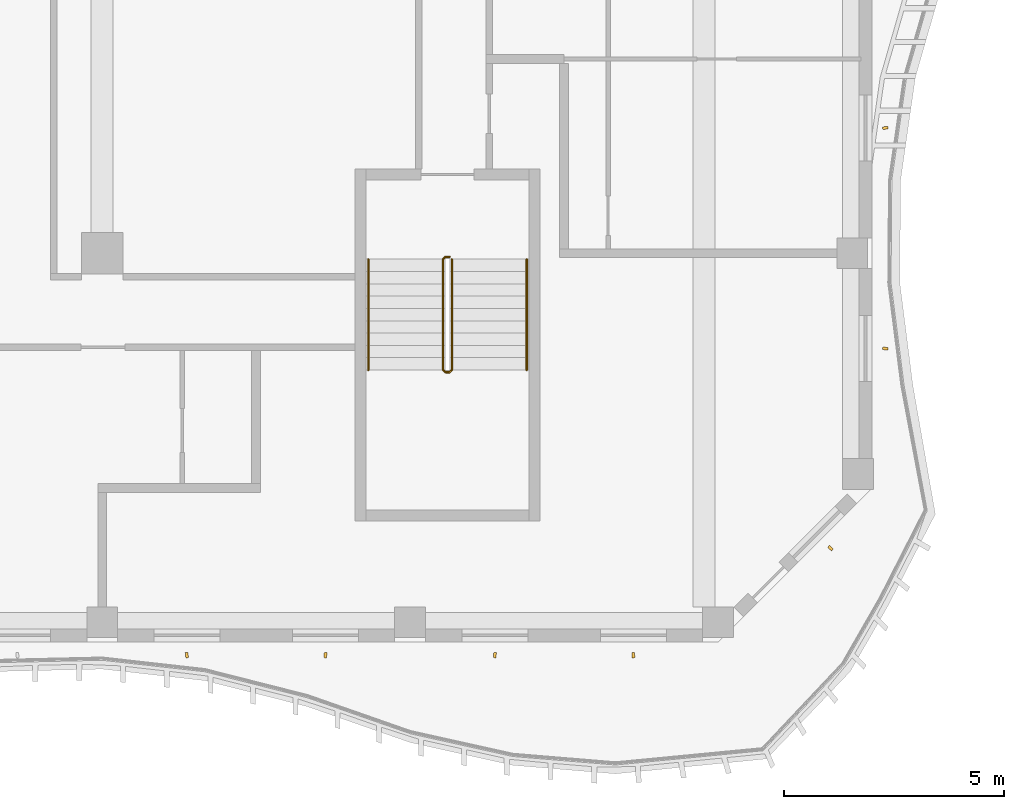
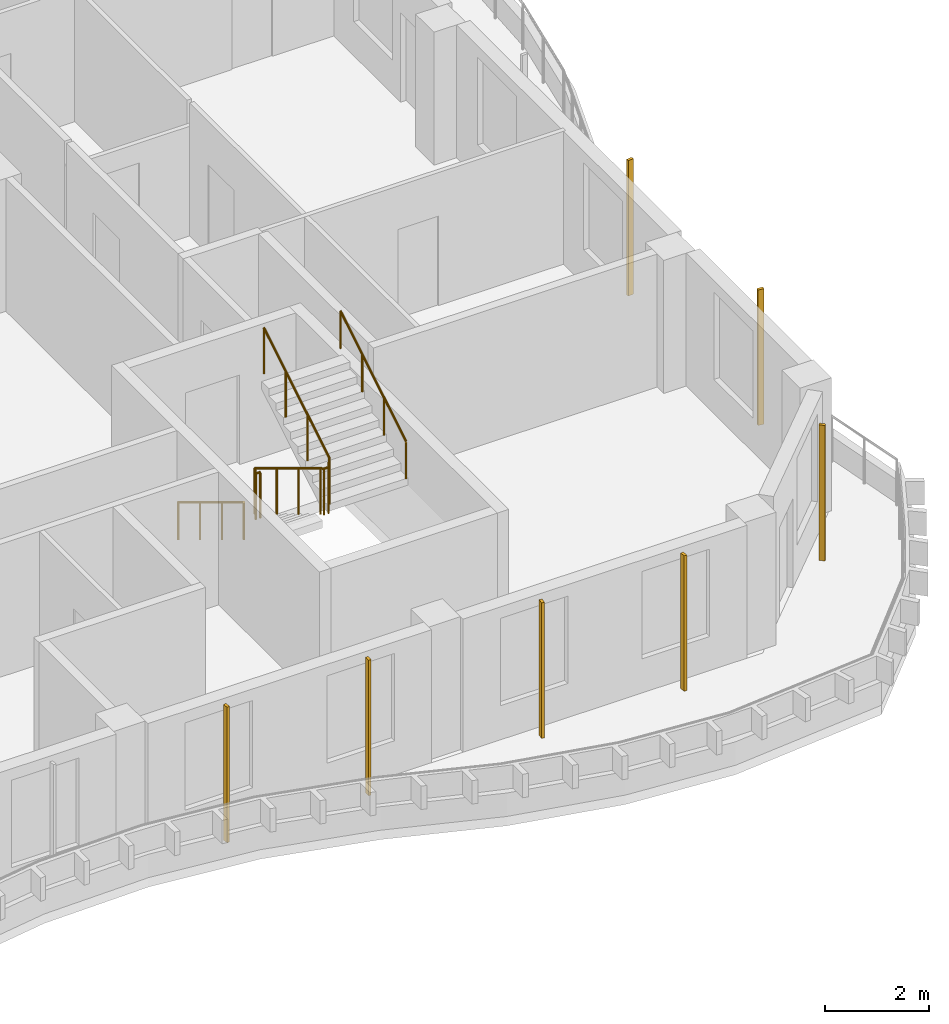
# One storey, part 18 of 20: 7 shading devices, 3 railings.
"""IFC4 building model written with IfcOpenShell, lengths in metres."""

from ifc_helpers import new_model, si_unit, direction, frame, origin, origin_2d, place, context, subcontext, project, spatial, rectangle, circle, extrude, source, transform, mapped, material, material_profile, profile_set, type_object, element, save


model = new_model("IFC4")

# Units and contexts
model_context = context("Model", 3, precision=1e-05, world=origin(), true_north=direction((0.0, 1.0)))
body_context = subcontext(model_context, "Body", "Model", "MODEL_VIEW")
ifc_project = project(units=[si_unit("LENGTHUNIT", "METRE"), si_unit("AREAUNIT", "SQUARE_METRE"), si_unit("VOLUMEUNIT", "CUBIC_METRE"), si_unit("PLANEANGLEUNIT", "RADIAN"), si_unit("MASSUNIT", "GRAM", prefix="KILO")], contexts=[model_context])

# Site, building, storey
site_placement = place(None, origin())
site = spatial("IfcSite", under=ifc_project, at=site_placement, CompositionType="ELEMENT")
building_placement = place(site_placement, origin())
building = spatial("IfcBuilding", under=site, at=building_placement, Name="Kilnfold Tower and Market Hall", CompositionType="ELEMENT")
storey_placement = place(building_placement, frame((0.0, 0.0, 239.0)))
storey = spatial("IfcBuildingStorey", under=building, at=storey_placement, Name="L57", CompositionType="ELEMENT", Elevation=239.0)

# Railings
ifc_material_1 = material(Name="Stainless steel 316", Category="steel")
railing_type_1 = type_object("IfcRailingType", Name="CORE STAIR GUARD 1100", PredefinedType="GUARDRAIL", material=ifc_material_1)
railing_1_placement = place(storey_placement, frame((19.89990234375, -9.75, 0.0)))
element("IfcRailing", 1, at=railing_1_placement, inside=storey, type_object=railing_type_1, Name="L57 ST4 stair guard 1", PredefinedType="GUARDRAIL", context=body_context, shape_type="SweptSolid", body=[
    extrude(circle(Radius=0.02392578125, at=origin_2d()), frame((0.0, 0.0, 1.076171875), z_axis=(-1.0, 0.0, 0.0), x_axis=(0.0, -1.0, 0.0)), (0.0, 0.0, 1.0), 0.099853515625),
    extrude(circle(Radius=0.02392578125, at=origin_2d()), frame((-0.099853515625, 0.0, 1.076171875), z_axis=(-0.271895245746, -0.271895245746, 0.923117517265), x_axis=(0.707106781187, -0.707106781187, 0.0)), (0.0, 0.0, 1.0), 0.18408203125),
    extrude(circle(Radius=0.02392578125, at=origin_2d()), frame((-0.14990234375, -0.050048828125, 1.24609375), z_axis=(0.0, -0.85478489116, 0.518982456201), x_axis=(1.0, 0.0, 0.0)), (0.0, 0.0, 1.0), 2.9482421875),
    extrude(circle(Radius=0.02392578125, at=origin_2d()), frame((-0.14990234375, -2.570068359375, 2.77587890625), z_axis=(0.707106781187, -0.707106781187, 0.0), x_axis=(0.707106781187, 0.707106781187, 0.0)), (0.0, 0.0, 1.0), 0.07080078125),
    extrude(circle(Radius=0.02392578125, at=origin_2d()), frame((-0.099853515625, -2.6201171875, 2.77587890625), z_axis=(1.0, 0.0, 0.0), x_axis=(0.0, 1.0, 0.0)), (0.0, 0.0, 1.0), 0.099853515625),
    extrude(circle(Radius=0.02392578125, at=origin_2d()), frame((0.0, -2.6201171875, 2.77587890625), z_axis=(0.271562723297, 0.271562723297, 0.923313259209), x_axis=(-0.707106781187, 0.707106781187, 0.0)), (0.0, 0.0, 1.0), 0.184326171875),
    extrude(circle(Radius=0.02392578125, at=origin_2d()), frame((0.050048828125, -2.570068359375, 2.9462890625), z_axis=(0.0, 0.854821627497, 0.518921945155), x_axis=(-1.0, 0.0, 0.0)), (0.0, 0.0, 1.0), 2.947998046875),
    extrude(circle(Radius=0.02099609375, at=origin_2d()), origin(), (0.0, 0.0, 1.0), 1.052001953125),
    extrude(circle(Radius=0.02099609375, at=origin_2d()), frame((-0.099853515625, 0.0, 0.0)), (0.0, 0.0, 1.0), 1.052001953125),
    extrude(circle(Radius=0.02099609375, at=origin_2d()), frame((-0.14990234375, -0.050048828125, 0.169921875)), (0.0, 0.0, 1.0), 1.052001953125),
    extrude(circle(Radius=0.02099609375, at=origin_2d()), frame((-0.14990234375, -0.89013671875, 0.679931640625)), (0.0, 0.0, 1.0), 1.052001953125),
    extrude(circle(Radius=0.02099609375, at=origin_2d()), frame((-0.14990234375, -1.72998046875, 1.18994140625)), (0.0, 0.0, 1.0), 1.052001953125),
    extrude(circle(Radius=0.02099609375, at=origin_2d()), frame((-0.14990234375, -2.570068359375, 1.699951171875)), (0.0, 0.0, 1.0), 1.052001953125),
    extrude(circle(Radius=0.02099609375, at=origin_2d()), frame((-0.099853515625, -2.6201171875, 1.699951171875)), (0.0, 0.0, 1.0), 1.052001953125),
    extrude(circle(Radius=0.02099609375, at=origin_2d()), frame((0.0, -2.6201171875, 1.699951171875)), (0.0, 0.0, 1.0), 1.052001953125),
    extrude(circle(Radius=0.02099609375, at=origin_2d()), frame((0.050048828125, -2.570068359375, 1.8701171875)), (0.0, 0.0, 1.0), 1.052001953125),
    extrude(circle(Radius=0.02099609375, at=origin_2d()), frame((0.050048828125, -1.72998046875, 2.380126953125)), (0.0, 0.0, 1.0), 1.052001953125),
    extrude(circle(Radius=0.02099609375, at=origin_2d()), frame((0.050048828125, -0.89013671875, 2.889892578125)), (0.0, 0.0, 1.0), 1.052001953125),
    extrude(circle(Radius=0.02099609375, at=origin_2d()), frame((0.050048828125, -0.050048828125, 3.39990234375)), (0.0, 0.0, 1.0), 1.052001953125),
])
ifc_material_2 = material(Name="Stainless steel 316", Category="steel")
railing_type_2 = type_object("IfcRailingType", Name="CORE STAIR HANDRAIL 900", PredefinedType="HANDRAIL", material=ifc_material_2)
railing_2_placement = place(storey_placement, frame((18.050048828125, -9.800048828125, 0.169921875)))
element("IfcRailing", 2, at=railing_2_placement, inside=storey, type_object=railing_type_2, Name="L57 ST4 stair handrail 1", PredefinedType="HANDRAIL", context=body_context, shape_type="SweptSolid", body=[
    extrude(circle(Radius=0.02392578125, at=origin_2d()), frame((0.0, 0.0, 0.8759765625), z_axis=(0.0, -0.85478489116, 0.518982456201), x_axis=(1.0, 0.0, 0.0)), (0.0, 0.0, 1.0), 2.9482421875),
    extrude(circle(Radius=0.02099609375, at=origin_2d()), origin(), (0.0, 0.0, 1.0), 0.851806640625),
    extrude(circle(Radius=0.02099609375, at=origin_2d()), frame((0.0, -0.840087890625, 0.510009765625)), (0.0, 0.0, 1.0), 0.851806640625),
    extrude(circle(Radius=0.02099609375, at=origin_2d()), frame((0.0, -1.679931640625, 1.02001953125)), (0.0, 0.0, 1.0), 0.851806640625),
    extrude(circle(Radius=0.02099609375, at=origin_2d()), frame((0.0, -2.52001953125, 1.530029296875)), (0.0, 0.0, 1.0), 0.851806640625),
])
railing_3_placement = place(storey_placement, frame((21.64990234375, -12.320068359375, 1.8701171875)))
element("IfcRailing", 3, at=railing_3_placement, inside=storey, type_object=railing_type_2, Name="L57 ST4 stair handrail 2", PredefinedType="HANDRAIL", context=body_context, shape_type="SweptSolid", body=[
    extrude(circle(Radius=0.02392578125, at=origin_2d()), frame((0.0, 0.0, 0.8759765625), z_axis=(0.0, 0.854821627497, 0.518921945155), x_axis=(-1.0, 0.0, 0.0)), (0.0, 0.0, 1.0), 2.947998046875),
    extrude(circle(Radius=0.02099609375, at=origin_2d()), origin(), (0.0, 0.0, 1.0), 0.851806640625),
    extrude(circle(Radius=0.02099609375, at=origin_2d()), frame((0.0, 0.840087890625, 0.510009765625)), (0.0, 0.0, 1.0), 0.851806640625),
    extrude(circle(Radius=0.02099609375, at=origin_2d()), frame((0.0, 1.679931640625, 1.019775390625)), (0.0, 0.0, 1.0), 0.851806640625),
    extrude(circle(Radius=0.02099609375, at=origin_2d()), frame((0.0, 2.52001953125, 1.52978515625)), (0.0, 0.0, 1.0), 0.851806640625),
])

# Shading devices
ifc_material_3 = material(Name="Terracotta", Category="masonry")
ifc_material_profile = material_profile(ifc_material_3, rectangle(XDim=0.06005859375, YDim=0.1201171875, at=origin_2d()), Name="BAG 60x120")
ifc_profile_set = profile_set([ifc_material_profile], Name="Terracotta")
shading_device_type = type_object("IfcShadingDeviceType", Name="BAGUETTE", PredefinedType="USERDEFINED", material=ifc_profile_set)
shared_shape = source(origin(), body_context, "Body", "SweptSolid", [
    extrude(rectangle(XDim=0.06005859375, YDim=0.1201171875, at=origin_2d()), origin(), (0.0, 0.0, 1.0), 3.179931640625),
])
for number, where, z_axis, x_axis, name in (
    (4, (13.925048828125, -18.800048828125, 0.0), (0.0, 0.0, 1.0), (0.993311037832, 0.11546939907, 0.0), "Terracotta baguette L57 S"),
    (5, (17.074951171875, -18.800048828125, 0.0), (0.0, 0.0, 1.0), (0.99825686554, -0.059018898687, 0.0), "Terracotta baguette L57 S"),
    (6, (20.925048828125, -18.800048828125, 0.0), (0.0, 0.0, 1.0), (0.993311037832, -0.11546939907, 0.0), "Terracotta baguette L57 S"),
    (7, (24.074951171875, -18.800048828125, 0.0), (0.0, 0.0, 1.0), (0.99825686554, 0.059018898687, 0.0), "Terracotta baguette L57 S"),
    (8, (28.554931640625, -16.369384765625, 0.0), (0.0, 0.0, 1.0), (0.672065733473, 0.740491492112, 0.0), "Terracotta baguette L57 SE"),
    (9, (29.800048828125, -11.831787109375, 0.0), (0.0, 0.0, 1.0), (0.135482129209, 0.990779790198, 0.0), "Terracotta baguette L57 E"),
    (10, (29.800048828125, -6.816650390625, 0.0), (0.0, 0.0, 1.0), (-0.110141977295, 0.993915864064, 0.0), "Terracotta baguette L57 E"),
):
    element("IfcShadingDevice", number, at=place(storey_placement, frame(where, z_axis=z_axis, x_axis=x_axis)), inside=storey, type_object=shading_device_type, Name=name, ObjectType="BAGUETTE", PredefinedType="USERDEFINED", context=body_context, shape_type="MappedRepresentation", body=[
        mapped(shared_shape, transform((0.0, 0.0, 0.0))),
    ])

save(model, "model.ifc")
